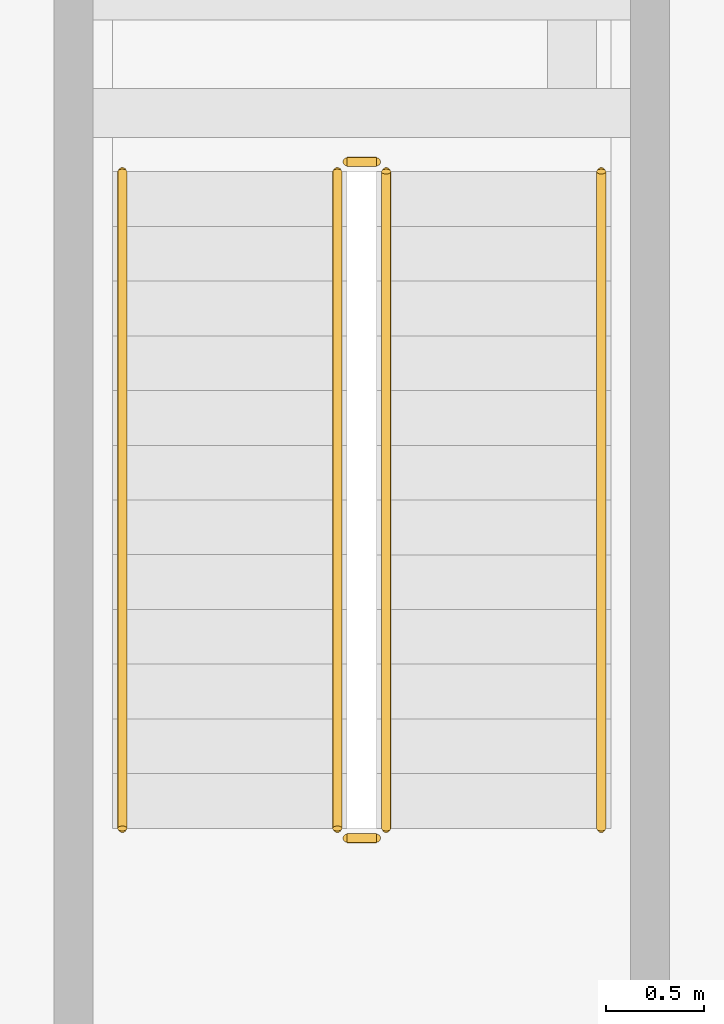
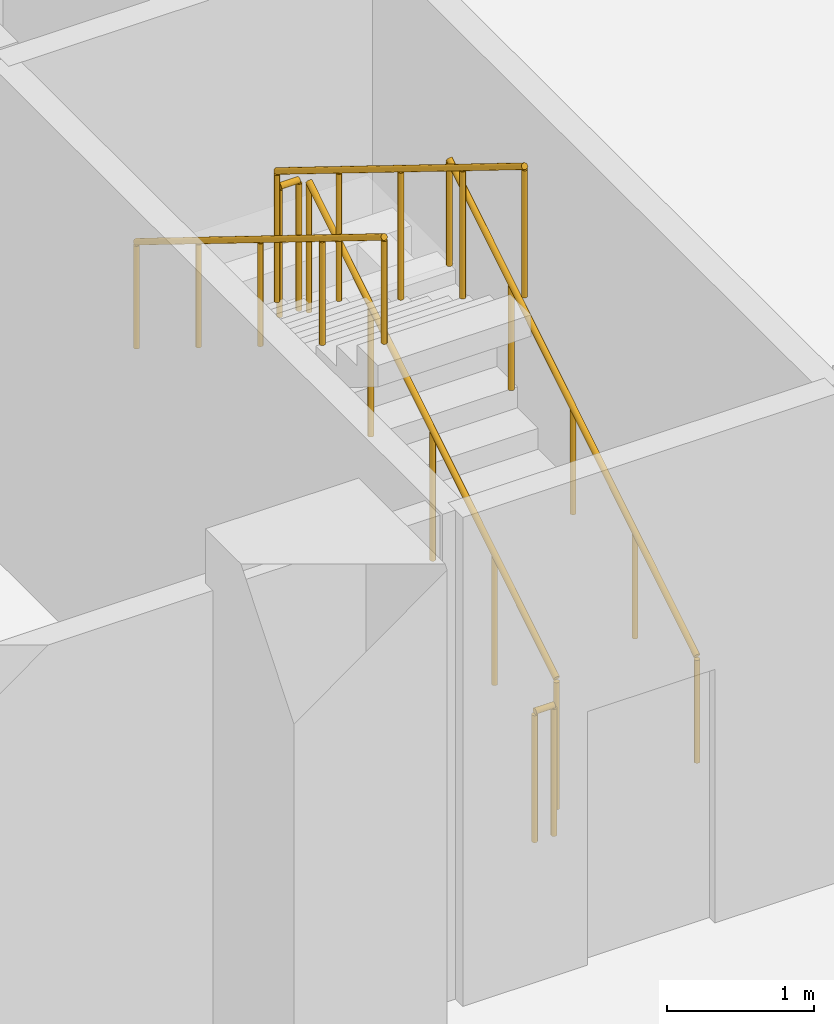
# One storey, part 33 of 34: 6 railings.
"""IFC4 building model written with IfcOpenShell, lengths in metres."""

from ifc_helpers import new_model, si_unit, direction, frame, origin, origin_2d, place, context, subcontext, project, spatial, circle, extrude, material, type_object, element, save


model = new_model("IFC4")

# Units and contexts
model_context = context("Model", 3, precision=1e-05, world=origin(), true_north=direction((0.0, 1.0)))
body_context = subcontext(model_context, "Body", "Model", "MODEL_VIEW")
ifc_project = project(units=[si_unit("LENGTHUNIT", "METRE"), si_unit("AREAUNIT", "SQUARE_METRE"), si_unit("VOLUMEUNIT", "CUBIC_METRE"), si_unit("PLANEANGLEUNIT", "RADIAN"), si_unit("MASSUNIT", "GRAM", prefix="KILO")], contexts=[model_context])

# Site, building, storey
site_placement = place(None, origin())
site = spatial("IfcSite", under=ifc_project, at=site_placement, CompositionType="ELEMENT")
building_placement = place(site_placement, origin())
building = spatial("IfcBuilding", under=site, at=building_placement, Name="Ogive Gate Towers", CompositionType="ELEMENT")
storey_placement = place(building_placement, frame((0.0, 0.0, -4.5)))
storey = spatial("IfcBuildingStorey", under=building, at=storey_placement, Name="B1", CompositionType="ELEMENT", Elevation=-4.5)

# Railings
ifc_material_1 = material(Name="Painted steel", Category="steel")
railing_type_1 = type_object("IfcRailingType", Name="Car park stair guard 1100", PredefinedType="GUARDRAIL", material=ifc_material_1)
railing_1_placement = place(storey_placement, frame((29.89990234375, 64.89990234375, 0.173095703125)))
element("IfcRailing", 1, at=railing_1_placement, inside=storey, type_object=railing_type_1, Name="B1 CS3 stair guard 1", PredefinedType="GUARDRAIL", context=body_context, shape_type="SweptSolid", body=[
    extrude(circle(Radius=0.02392578125, at=origin_2d()), frame((0.0, 0.0, 1.076171875), z_axis=(0.0, 0.850623216509, 0.525775754039), x_axis=(-1.0, 0.0, 0.0)), (0.0, 0.0, 1.0), 3.9501953125),
    extrude(circle(Radius=0.02099609375, at=origin_2d()), origin(), (0.0, 0.0, 1.0), 1.052001953125),
    extrude(circle(Radius=0.02099609375, at=origin_2d()), frame((0.0, 0.840087890625, 0.519287109375)), (0.0, 0.0, 1.0), 1.052001953125),
    extrude(circle(Radius=0.02099609375, at=origin_2d()), frame((0.0, 1.68017578125, 1.03857421875)), (0.0, 0.0, 1.0), 1.052001953125),
    extrude(circle(Radius=0.02099609375, at=origin_2d()), frame((0.0, 2.52001953125, 1.5576171875)), (0.0, 0.0, 1.0), 1.052001953125),
    extrude(circle(Radius=0.02099609375, at=origin_2d()), frame((0.0, 3.360107421875, 2.076904296875)), (0.0, 0.0, 1.0), 1.052001953125),
])
railing_2_placement = place(storey_placement, frame((29.85009765625, 68.31005859375, 2.25)))
element("IfcRailing", 2, at=railing_2_placement, inside=storey, type_object=railing_type_1, Name="B1 CS3 stair guard 2", PredefinedType="GUARDRAIL", context=body_context, shape_type="SweptSolid", body=[
    extrude(circle(Radius=0.02392578125, at=origin_2d()), frame((0.0, 0.0, 1.076171875), z_axis=(-1.0, 0.0, 0.0), x_axis=(0.0, -1.0, 0.0)), (0.0, 0.0, 1.0), 0.150146484375),
    extrude(circle(Radius=0.02099609375, at=origin_2d()), origin(), (0.0, 0.0, 1.0), 1.052001953125),
    extrude(circle(Radius=0.02099609375, at=origin_2d()), frame((-0.150146484375, 0.0, 0.0)), (0.0, 0.0, 1.0), 1.052001953125),
])
railing_3_placement = place(storey_placement, frame((29.64990234375, 68.260009765625, 2.423095703125)))
element("IfcRailing", 3, at=railing_3_placement, inside=storey, type_object=railing_type_1, Name="B1 CS3 stair guard 3", PredefinedType="GUARDRAIL", context=body_context, shape_type="SweptSolid", body=[
    extrude(circle(Radius=0.02392578125, at=origin_2d()), frame((0.0, 0.0, 1.076171875), z_axis=(0.0, -0.850623216509, 0.525775754039), x_axis=(1.0, 0.0, 0.0)), (0.0, 0.0, 1.0), 3.9501953125),
    extrude(circle(Radius=0.02099609375, at=origin_2d()), origin(), (0.0, 0.0, 1.0), 1.052001953125),
    extrude(circle(Radius=0.02099609375, at=origin_2d()), frame((0.0, -0.840087890625, 0.519287109375)), (0.0, 0.0, 1.0), 1.052001953125),
    extrude(circle(Radius=0.02099609375, at=origin_2d()), frame((0.0, -1.68017578125, 1.03857421875)), (0.0, 0.0, 1.0), 1.052001953125),
    extrude(circle(Radius=0.02099609375, at=origin_2d()), frame((0.0, -2.52001953125, 1.5576171875)), (0.0, 0.0, 1.0), 1.052001953125),
    extrude(circle(Radius=0.02099609375, at=origin_2d()), frame((0.0, -3.360107421875, 2.076904296875)), (0.0, 0.0, 1.0), 1.052001953125),
])
railing_4_placement = place(storey_placement, frame((29.85009765625, 64.85009765625, 0.0)))
element("IfcRailing", 4, at=railing_4_placement, inside=storey, type_object=railing_type_1, Name="B1 CS3 stair guard 4", PredefinedType="GUARDRAIL", context=body_context, shape_type="SweptSolid", body=[
    extrude(circle(Radius=0.02392578125, at=origin_2d()), frame((0.0, 0.0, 1.076171875), z_axis=(-1.0, 0.0, 0.0), x_axis=(0.0, -1.0, 0.0)), (0.0, 0.0, 1.0), 0.150146484375),
    extrude(circle(Radius=0.02099609375, at=origin_2d()), origin(), (0.0, 0.0, 1.0), 1.052001953125),
    extrude(circle(Radius=0.02099609375, at=origin_2d()), frame((-0.150146484375, 0.0, 0.0)), (0.0, 0.0, 1.0), 1.052001953125),
])
ifc_material_2 = material(Name="Stainless steel handrail", Category="steel")
railing_type_2 = type_object("IfcRailingType", Name="Car park stair handrail 900", PredefinedType="HANDRAIL", material=ifc_material_2)
railing_5_placement = place(storey_placement, frame((31.0, 64.89990234375, 0.173095703125)))
element("IfcRailing", 5, at=railing_5_placement, inside=storey, type_object=railing_type_2, Name="B1 CS3 stair handrail 1", PredefinedType="HANDRAIL", context=body_context, shape_type="SweptSolid", body=[
    extrude(circle(Radius=0.02392578125, at=origin_2d()), frame((0.0, 0.0, 0.8759765625), z_axis=(0.0, 0.850623216509, 0.525775754039), x_axis=(-1.0, 0.0, 0.0)), (0.0, 0.0, 1.0), 3.9501953125),
    extrude(circle(Radius=0.02099609375, at=origin_2d()), origin(), (0.0, 0.0, 1.0), 0.851806640625),
    extrude(circle(Radius=0.02099609375, at=origin_2d()), frame((0.0, 0.840087890625, 0.519287109375)), (0.0, 0.0, 1.0), 0.851806640625),
    extrude(circle(Radius=0.02099609375, at=origin_2d()), frame((0.0, 1.68017578125, 1.03857421875)), (0.0, 0.0, 1.0), 0.851806640625),
    extrude(circle(Radius=0.02099609375, at=origin_2d()), frame((0.0, 2.52001953125, 1.5576171875)), (0.0, 0.0, 1.0), 0.851806640625),
    extrude(circle(Radius=0.02099609375, at=origin_2d()), frame((0.0, 3.360107421875, 2.076904296875)), (0.0, 0.0, 1.0), 0.851806640625),
])
railing_6_placement = place(storey_placement, frame((28.550048828125, 68.260009765625, 2.423095703125)))
element("IfcRailing", 6, at=railing_6_placement, inside=storey, type_object=railing_type_2, Name="B1 CS3 stair handrail 2", PredefinedType="HANDRAIL", context=body_context, shape_type="SweptSolid", body=[
    extrude(circle(Radius=0.02392578125, at=origin_2d()), frame((0.0, 0.0, 0.8759765625), z_axis=(0.0, -0.850623216509, 0.525775754039), x_axis=(1.0, 0.0, 0.0)), (0.0, 0.0, 1.0), 3.9501953125),
    extrude(circle(Radius=0.02099609375, at=origin_2d()), origin(), (0.0, 0.0, 1.0), 0.851806640625),
    extrude(circle(Radius=0.02099609375, at=origin_2d()), frame((0.0, -0.840087890625, 0.519287109375)), (0.0, 0.0, 1.0), 0.851806640625),
    extrude(circle(Radius=0.02099609375, at=origin_2d()), frame((0.0, -1.68017578125, 1.03857421875)), (0.0, 0.0, 1.0), 0.851806640625),
    extrude(circle(Radius=0.02099609375, at=origin_2d()), frame((0.0, -2.52001953125, 1.5576171875)), (0.0, 0.0, 1.0), 0.851806640625),
    extrude(circle(Radius=0.02099609375, at=origin_2d()), frame((0.0, -3.360107421875, 2.076904296875)), (0.0, 0.0, 1.0), 0.851806640625),
])

save(model, "model.ifc")
